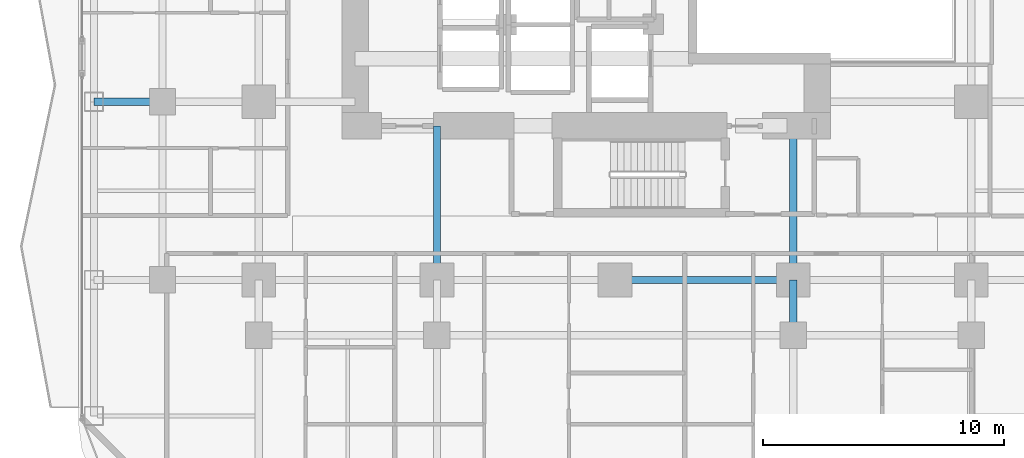
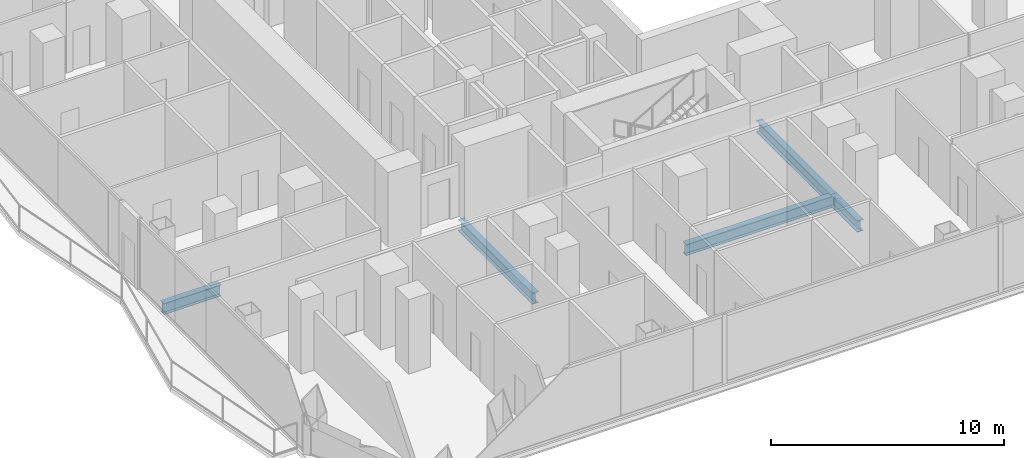
# One storey, part 5 of 28: 5 beams.
"""IFC4 building model written with IfcOpenShell, lengths in metres."""

from ifc_helpers import new_model, si_unit, direction, frame, origin, origin_2d, place, context, subcontext, project, spatial, i_section, extrude, material, material_profile, profile_set, type_object, element, save


model = new_model("IFC4")

# Units and contexts
model_context = context("Model", 3, precision=1e-05, world=origin(), true_north=direction((0.0, 1.0)))
body_context = subcontext(model_context, "Body", "Model", "MODEL_VIEW")
ifc_project = project(units=[si_unit("LENGTHUNIT", "METRE"), si_unit("AREAUNIT", "SQUARE_METRE"), si_unit("VOLUMEUNIT", "CUBIC_METRE"), si_unit("PLANEANGLEUNIT", "RADIAN"), si_unit("MASSUNIT", "GRAM", prefix="KILO")], contexts=[model_context])

# Site, building, storey
site_placement = place(None, origin())
site = spatial("IfcSite", under=ifc_project, at=site_placement, CompositionType="ELEMENT")
building_placement = place(site_placement, origin())
building = spatial("IfcBuilding", under=site, at=building_placement, Name="Khorvyn Point Tower", CompositionType="ELEMENT")
storey_placement = place(building_placement, frame((0.0, 0.0, 34.5)))
storey = spatial("IfcBuildingStorey", under=building, at=storey_placement, Name="L09", CompositionType="ELEMENT", Elevation=34.5)

# Beams
ifc_material = material(Name="Steel S355", Category="steel")
ifc_material_profile = material_profile(ifc_material, i_section(OverallWidth=0.300048828125, OverallDepth=0.587890625, WebThickness=0.011962890625, FlangeThickness=0.02001953125, at=origin_2d()))
ifc_profile_set = profile_set([ifc_material_profile], Name="Steel S355 H588x300x12x20")
beam_type = type_object("IfcBeamType", Name="Steel S355 Beam H588x300x12x20", PredefinedType="BEAM", material=ifc_profile_set)
beam_1_placement = place(storey_placement, frame((0.0, -14.800048828125, -0.513916015625), z_axis=(1.0, 0.0, 0.0), x_axis=(0.0, 1.0, 0.0)))
element("IfcBeam", 1, at=beam_1_placement, inside=storey, type_object=beam_type, Name="Beam", PredefinedType="BEAM", context=body_context, shape_type="SweptSolid", body=[
    extrude(i_section(OverallWidth=0.300048828125, OverallDepth=0.587890625, WebThickness=0.011962890625, FlangeThickness=0.02001953125, at=origin_2d()), origin(), (0.0, 0.0, 1.0), 7.39990234375),
])
beam_2_placement = place(storey_placement, frame((-21.64990234375, -7.39990234375, -0.513916015625), z_axis=(1.0, 0.0, 0.0), x_axis=(0.0, 1.0, 0.0)))
element("IfcBeam", 2, at=beam_2_placement, inside=storey, type_object=beam_type, Name="Beam", PredefinedType="BEAM", context=body_context, shape_type="SweptSolid", body=[
    extrude(i_section(OverallWidth=0.300048828125, OverallDepth=0.587890625, WebThickness=0.011962890625, FlangeThickness=0.02001953125, at=origin_2d()), origin(), (0.0, 0.0, 1.0), 2.849853515625),
])
beam_3_placement = place(storey_placement, frame((-7.39990234375, -14.800048828125, -0.513916015625), z_axis=(0.0, 1.0, 0.0), x_axis=(-1.0, 0.0, 0.0)))
element("IfcBeam", 3, at=beam_3_placement, inside=storey, type_object=beam_type, Name="Beam", PredefinedType="BEAM", context=body_context, shape_type="SweptSolid", body=[
    extrude(i_section(OverallWidth=0.300048828125, OverallDepth=0.587890625, WebThickness=0.011962890625, FlangeThickness=0.02001953125, at=origin_2d()), origin(), (0.0, 0.0, 1.0), 6.400146484375),
])
beam_4_placement = place(storey_placement, frame((7.39990234375, -17.10009765625, -0.513916015625), z_axis=(0.0, 1.0, 0.0), x_axis=(-1.0, 0.0, 0.0)))
element("IfcBeam", 4, at=beam_4_placement, inside=storey, type_object=beam_type, Name="Beam", PredefinedType="BEAM", context=body_context, shape_type="SweptSolid", body=[
    extrude(i_section(OverallWidth=0.300048828125, OverallDepth=0.587890625, WebThickness=0.011962890625, FlangeThickness=0.02001953125, at=origin_2d()), origin(), (0.0, 0.0, 1.0), 2.300048828125),
])
beam_5_placement = place(storey_placement, frame((7.39990234375, -14.800048828125, -0.513916015625), z_axis=(0.0, 1.0, 0.0), x_axis=(-1.0, 0.0, 0.0)))
element("IfcBeam", 5, at=beam_5_placement, inside=storey, type_object=beam_type, Name="Beam", PredefinedType="BEAM", context=body_context, shape_type="SweptSolid", body=[
    extrude(i_section(OverallWidth=0.300048828125, OverallDepth=0.587890625, WebThickness=0.011962890625, FlangeThickness=0.02001953125, at=origin_2d()), origin(), (0.0, 0.0, 1.0), 6.400146484375),
])

save(model, "model.ifc")
